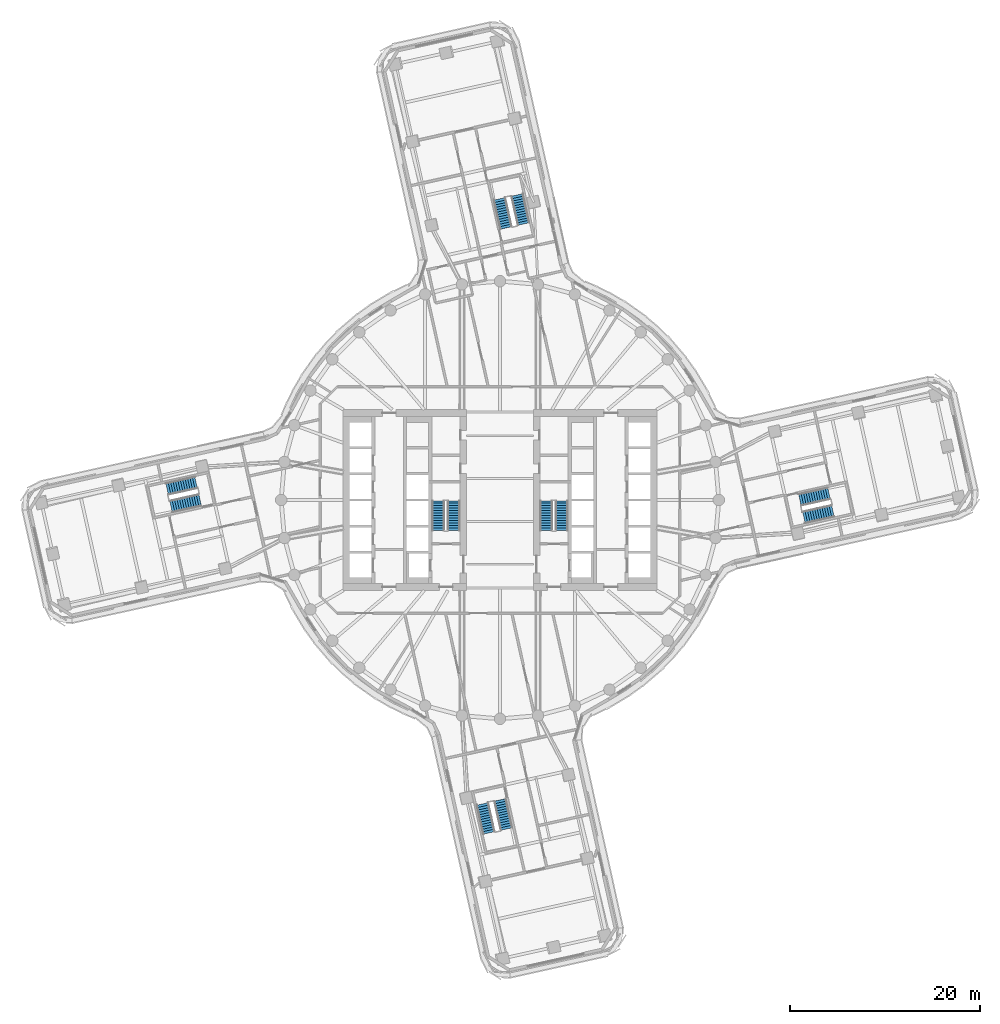
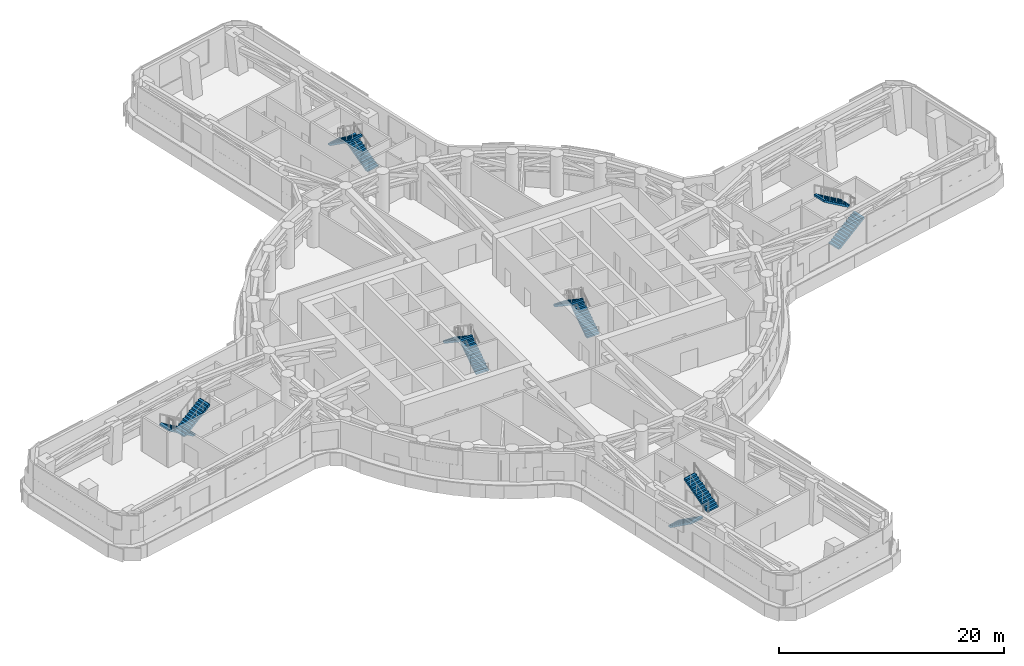
# One storey, part 14 of 22: 12 stair flights, 6 elements without a shape of their own.
"""IFC4 building model written with IfcOpenShell, lengths in metres."""

import ifcopenshell
import ifcopenshell.guid

model = None  # the IFC model being written
_history = None  # IfcOwnerHistory: only IFC2X3 demands one
_inside = {}  # id of a spatial element -> (the spatial element, [elements in it])
_under = {}  # id of a project, library or spatial element -> (it, [spatial elements below it])
_declared = {}  # id of a project -> (the project, [libraries it declares])
_typed = {}  # id of a type object -> (the type object, [elements of that type])
_made_of = {}  # id of a material, layer set ... -> (it, [elements and type objects made of it])


def new_model(schema):
    """Start an empty IFC model of exactly this schema.

    Asked for "IFC4X3", IfcOpenShell would pick the latest addendum, in which some entities
    have other attributes; the version numbers below select the first issue.
    IFC2X3 requires an IfcOwnerHistory on every rooted entity: one is made here for all.
    """
    global model, _history
    if schema == "IFC4X3":
        model = ifcopenshell.file(schema_version=(4, 3, 0, 0))
    else:
        model = ifcopenshell.file(schema=schema)
    _inside.clear()
    _under.clear()
    _declared.clear()
    _typed.clear()
    _made_of.clear()
    _history = None
    if model.schema == "IFC2X3":
        org = make("IfcOrganization", Name="unknown")
        user = make(
            "IfcPersonAndOrganization",
            ThePerson=make("IfcPerson", FamilyName="unknown"),
            TheOrganization=org,
        )
        app = make(
            "IfcApplication",
            ApplicationDeveloper=org,
            Version="unknown",
            ApplicationFullName="unknown",
            ApplicationIdentifier="unknown",
        )
        _history = make(
            "IfcOwnerHistory",
            OwningUser=user,
            OwningApplication=app,
            ChangeAction="ADDED",
            CreationDate=0,
        )
    return model


def make(cls, **values):
    """One entity of the class cls with the attributes given. An attribute that is None is left unset."""
    return model.create_entity(
        cls, **{name: value for name, value in values.items() if value is not None}
    )


def rooted(cls, **values):
    """An entity with a GlobalId (a new one), such as an element, a storey or a relation."""
    return make(cls, GlobalId=ifcopenshell.guid.new(), OwnerHistory=_history, **values)


def si_unit(unit_type, name, prefix=None):
    """IfcSIUnit, for example si_unit("LENGTHUNIT", "METRE", prefix="MILLI")."""
    return make("IfcSIUnit", UnitType=unit_type, Prefix=prefix, Name=name)


def assignment(units):
    """IfcUnitAssignment: the units of a project."""
    return None if units is None else make("IfcUnitAssignment", Units=units)


def point(xyz):
    """IfcCartesianPoint."""
    return None if xyz is None else make("IfcCartesianPoint", Coordinates=xyz)


def direction(xyz):
    """IfcDirection."""
    return None if xyz is None else make("IfcDirection", DirectionRatios=xyz)


def frame(location, z_axis=None, x_axis=None):
    """IfcAxis2Placement3D, a coordinate frame: its origin and axes. An axis left out is left unset."""
    return make(
        "IfcAxis2Placement3D",
        Location=point(location),
        Axis=direction(z_axis),
        RefDirection=direction(x_axis),
    )


def origin():
    """The frame at (0, 0, 0) with its axes left unset."""
    return frame((0.0, 0.0, 0.0))


def place(relative_to, where):
    """IfcLocalPlacement: puts the frame where relative to a parent placement (None: the world)."""
    return make(
        "IfcLocalPlacement", PlacementRelTo=relative_to, RelativePlacement=where
    )


def context(
    kind, dimensions, precision=None, world=None, true_north=None, identifier=None
):
    """IfcGeometricRepresentationContext, for example the 3D "Model" context."""
    return make(
        "IfcGeometricRepresentationContext",
        ContextIdentifier=identifier,
        ContextType=kind,
        CoordinateSpaceDimension=dimensions,
        Precision=precision,
        WorldCoordinateSystem=world,
        TrueNorth=true_north,
    )


def subcontext(parent, identifier, kind, view, scale=None):
    """IfcGeometricRepresentationSubContext, for example "Body" below "Model"."""
    return make(
        "IfcGeometricRepresentationSubContext",
        ContextIdentifier=identifier,
        ContextType=kind,
        ParentContext=parent,
        TargetScale=scale,
        TargetView=view,
    )


def project(units=None, contexts=None):
    """IfcProject with its units and contexts."""
    return rooted(
        "IfcProject",
        Name="project",
        RepresentationContexts=contexts,
        UnitsInContext=assignment(units),
    )


def spatial(cls, under=None, at=None, **own):
    """A site, building, storey or space (cls), placed at a placement, below another one or the project."""
    s = rooted(cls, ObjectPlacement=at, **own)
    if under is not None:
        _under.setdefault(under.id(), (under, []))[1].append(s)
    return s


def polyline(points):
    """IfcPolyline through the points."""
    return make("IfcPolyline", Points=[point(p) for p in points])


def outline(outer, holes=None, kind="AREA"):
    """IfcArbitraryClosedProfileDef: a profile drawn as a closed curve; with holes, ...WithVoids."""
    if holes is None:
        return make("IfcArbitraryClosedProfileDef", ProfileType=kind, OuterCurve=outer)
    return make(
        "IfcArbitraryProfileDefWithVoids",
        ProfileType=kind,
        OuterCurve=outer,
        InnerCurves=holes,
    )


def extrude(swept, where, along, depth):
    """IfcExtrudedAreaSolid: the profile swept, set in the frame where, extruded along a direction by depth."""
    return make(
        "IfcExtrudedAreaSolid",
        SweptArea=swept,
        Position=where,
        ExtrudedDirection=direction(along),
        Depth=depth,
    )


def shape(context_of_items, identifier, shape_type, items):
    """IfcShapeRepresentation: the items that make up one representation, for example the "Body"."""
    return make(
        "IfcShapeRepresentation",
        ContextOfItems=context_of_items,
        RepresentationIdentifier=identifier,
        RepresentationType=shape_type,
        Items=items,
    )


def material(Name=None, Category=None):
    """IfcMaterial."""
    return make("IfcMaterial", Name=Name, Category=Category)


def made_of(thing, what):
    """Note that an element or type object is made of a material, layer set ...; save() writes the relation."""
    if what is not None:
        _made_of.setdefault(what.id(), (what, []))[1].append(thing)
    return thing


def type_object(cls, material=None, **own):
    """A type object (cls), such as IfcWallType, which elements share."""
    return made_of(rooted(cls, **own), material)


def element(
    cls,
    number,
    at=None,
    inside=None,
    cuts=None,
    type_object=None,
    material=None,
    context=None,
    identifier="Body",
    shape_type=None,
    held_by="IfcProductDefinitionShape",
    body=None,
    shapes=None,
    **own,
):
    """One element of the class cls, such as IfcWall. Its Tag is "e" and its number.

    at: its placement. inside: the storey or other place that contains it. cuts: it is an
    opening in that element (IfcRelVoidsElement). A single representation is given by context,
    identifier, shape_type and body (its items); several are given by shapes. held_by: the class
    of the entity that holds the representations. save() writes the other relations.
    """
    e = rooted(cls, Tag="e%d" % number, ObjectPlacement=at, **own)
    if body is not None:
        shapes = [shape(context, identifier, shape_type, body)]
    if shapes is not None:
        e.Representation = make(held_by, Representations=shapes)
    if inside is not None:
        _inside.setdefault(inside.id(), (inside, []))[1].append(e)
    if cuts is not None:
        rooted(
            "IfcRelVoidsElement", RelatingBuildingElement=cuts, RelatedOpeningElement=e
        )
    if type_object is not None:
        _typed.setdefault(type_object.id(), (type_object, []))[1].append(e)
    return made_of(e, material)


def aggregate(whole, parts):
    """IfcRelAggregates: a whole, such as a stair, and the parts it consists of."""
    return rooted("IfcRelAggregates", RelatingObject=whole, RelatedObjects=parts)


def save(model, path):
    """Write the relations noted so far, then the file.

    IfcRelAggregates (storeys below a building ...), IfcRelContainedInSpatialStructure (elements
    in a storey), IfcRelDefinesByType, IfcRelAssociatesMaterial and IfcRelDeclares: one each for
    every whole, place, type object, material and project.
    """
    for whole, parts in _under.values():
        aggregate(whole, parts)
    for where, things in _inside.values():
        rooted(
            "IfcRelContainedInSpatialStructure",
            RelatedElements=things,
            RelatingStructure=where,
        )
    for kind, things in _typed.values():
        rooted("IfcRelDefinesByType", RelatedObjects=things, RelatingType=kind)
    for what, things in _made_of.values():
        rooted("IfcRelAssociatesMaterial", RelatedObjects=things, RelatingMaterial=what)
    for by, libraries in _declared.values():
        rooted("IfcRelDeclares", RelatingContext=by, RelatedDefinitions=libraries)
    model.write(path)


model = new_model("IFC4")

# Units and contexts
model_context = context("Model", 3, precision=1e-05, world=origin(), true_north=direction((0.0, 1.0)))
body_context = subcontext(model_context, "Body", "Model", "MODEL_VIEW")
ifc_project = project(units=[si_unit("LENGTHUNIT", "METRE"), si_unit("AREAUNIT", "SQUARE_METRE"), si_unit("VOLUMEUNIT", "CUBIC_METRE"), si_unit("PLANEANGLEUNIT", "RADIAN"), si_unit("MASSUNIT", "GRAM", prefix="KILO")], contexts=[model_context])

# Site, building, storey
site_placement = place(None, origin())
site = spatial("IfcSite", under=ifc_project, at=site_placement, CompositionType="ELEMENT")
building_placement = place(site_placement, origin())
building = spatial("IfcBuilding", under=site, at=building_placement, Name="Tamarind Cross Interchange Tower", CompositionType="ELEMENT")
storey_placement = place(building_placement, frame((0.0, 0.0, 79.0)))
storey = spatial("IfcBuildingStorey", under=building, at=storey_placement, Name="L18", CompositionType="ELEMENT", Elevation=79.0)

# Stair, stair flights
ifc_material_1 = material(Name="Exit stair")
stair_type = type_object("IfcStairType", Name="Exit stair", PredefinedType="HALF_TURN_STAIR", material=ifc_material_1)
stair_1_placement = place(storey_placement, origin())
stair_1 = element("IfcStair", 1, at=stair_1_placement, inside=storey, type_object=stair_type, Name="L18 exit stair ST1", PredefinedType="HALF_TURN_STAIR")
ifc_material_2 = material(Name="Exit stair flight")
stair_flight_type = type_object("IfcStairFlightType", Name="Exit stair flight", PredefinedType="STRAIGHT", material=ifc_material_2)
stair_flight_1_placement = place(storey_placement, frame((-4.85009765625, -3.199951171875, 0.0), z_axis=(0.0, 0.0, 1.0), x_axis=(0.0, 1.0, 0.0)))
stair_flight_1 = element("IfcStairFlight", 2, at=stair_flight_1_placement, type_object=stair_flight_type, Name="ST1 flight 1", NumberOfRisers=13, NumberOfTreads=12, PredefinedType="STRAIGHT", RiserHeight=0.173076923, TreadLength=0.26, context=body_context, shape_type="SweptSolid", body=[
    extrude(outline(polyline([(0.0, 0.0), (0.0, 0.173095703125), (0.260009765625, 0.173095703125), (0.260009765625, 0.34619140625), (0.52001953125, 0.34619140625), (0.52001953125, 0.519287109375), (0.780029296875, 0.519287109375), (0.780029296875, 0.6923828125), (1.0400390625, 0.6923828125), (1.0400390625, 0.865478515625), (1.300048828125, 0.865478515625), (1.300048828125, 1.03857421875), (1.56005859375, 1.03857421875), (1.56005859375, 1.21142578125), (1.820068359375, 1.21142578125), (1.820068359375, 1.384521484375), (2.080078125, 1.384521484375), (2.080078125, 1.5576171875), (2.340087890625, 1.5576171875), (2.340087890625, 1.730712890625), (2.60009765625, 1.730712890625), (2.60009765625, 1.90380859375), (2.860107421875, 1.90380859375), (2.860107421875, 2.076904296875), (3.1201171875, 2.076904296875), (3.1201171875, 2.25), (3.1201171875, 1.896728515625), (0.2705078125, 0.0), (0.0, 0.0)])), frame((0.0, 0.64990234375, 0.0), z_axis=(0.0, -1.0, 0.0), x_axis=(1.0, 0.0, 0.0)), (0.0, 0.0, 1.0), 1.300048828125),
])
stair_flight_2_placement = place(storey_placement, frame((-6.5, -0.080078125, 2.25), z_axis=(0.0, 0.0, 1.0), x_axis=(0.0, -1.0, 0.0)))
stair_flight_2 = element("IfcStairFlight", 3, at=stair_flight_2_placement, type_object=stair_flight_type, Name="ST1 flight 2", NumberOfRisers=13, NumberOfTreads=12, PredefinedType="STRAIGHT", RiserHeight=0.173076923, TreadLength=0.26, context=body_context, shape_type="SweptSolid", body=[
    extrude(outline(polyline([(0.0, 0.0), (0.0, 0.173095703125), (0.260009765625, 0.173095703125), (0.260009765625, 0.34619140625), (0.52001953125, 0.34619140625), (0.52001953125, 0.519287109375), (0.780029296875, 0.519287109375), (0.780029296875, 0.6923828125), (1.0400390625, 0.6923828125), (1.0400390625, 0.865478515625), (1.300048828125, 0.865478515625), (1.300048828125, 1.03857421875), (1.56005859375, 1.03857421875), (1.56005859375, 1.21142578125), (1.820068359375, 1.21142578125), (1.820068359375, 1.384521484375), (2.080078125, 1.384521484375), (2.080078125, 1.5576171875), (2.340087890625, 1.5576171875), (2.340087890625, 1.730712890625), (2.60009765625, 1.730712890625), (2.60009765625, 1.90380859375), (2.860107421875, 1.90380859375), (2.860107421875, 2.076904296875), (3.1201171875, 2.076904296875), (3.1201171875, 2.1298828125), (3.132080078125, 2.1298828125), (3.132080078125, 1.90478515625), (0.2705078125, 0.0), (0.0, 0.0)])), frame((0.0, 0.64990234375, 0.0), z_axis=(0.0, -1.0, 0.0), x_axis=(1.0, 0.0, 0.0)), (0.0, 0.0, 1.0), 1.300048828125),
])
aggregate(stair_1, [stair_flight_1, stair_flight_2])

stair_2_placement = place(storey_placement, origin())
stair_2 = element("IfcStair", 4, at=stair_2_placement, inside=storey, type_object=stair_type, Name="L18 exit stair ST2", PredefinedType="HALF_TURN_STAIR")
stair_flight_3_placement = place(storey_placement, frame((6.5, -3.199951171875, 0.0), z_axis=(0.0, 0.0, 1.0), x_axis=(0.0, 1.0, 0.0)))
stair_flight_3 = element("IfcStairFlight", 5, at=stair_flight_3_placement, type_object=stair_flight_type, Name="ST2 flight 1", NumberOfRisers=13, NumberOfTreads=12, PredefinedType="STRAIGHT", RiserHeight=0.173076923, TreadLength=0.26, context=body_context, shape_type="SweptSolid", body=[
    extrude(outline(polyline([(0.0, 0.0), (0.0, 0.173095703125), (0.260009765625, 0.173095703125), (0.260009765625, 0.34619140625), (0.52001953125, 0.34619140625), (0.52001953125, 0.519287109375), (0.780029296875, 0.519287109375), (0.780029296875, 0.6923828125), (1.0400390625, 0.6923828125), (1.0400390625, 0.865478515625), (1.300048828125, 0.865478515625), (1.300048828125, 1.03857421875), (1.56005859375, 1.03857421875), (1.56005859375, 1.21142578125), (1.820068359375, 1.21142578125), (1.820068359375, 1.384521484375), (2.080078125, 1.384521484375), (2.080078125, 1.5576171875), (2.340087890625, 1.5576171875), (2.340087890625, 1.730712890625), (2.60009765625, 1.730712890625), (2.60009765625, 1.90380859375), (2.860107421875, 1.90380859375), (2.860107421875, 2.076904296875), (3.1201171875, 2.076904296875), (3.1201171875, 2.25), (3.1201171875, 1.896728515625), (0.2705078125, 0.0), (0.0, 0.0)])), frame((0.0, 0.64990234375, 0.0), z_axis=(0.0, -1.0, 0.0), x_axis=(1.0, 0.0, 0.0)), (0.0, 0.0, 1.0), 1.300048828125),
])
stair_flight_4_placement = place(storey_placement, frame((4.85009765625, -0.080078125, 2.25), z_axis=(0.0, 0.0, 1.0), x_axis=(0.0, -1.0, 0.0)))
stair_flight_4 = element("IfcStairFlight", 6, at=stair_flight_4_placement, type_object=stair_flight_type, Name="ST2 flight 2", NumberOfRisers=13, NumberOfTreads=12, PredefinedType="STRAIGHT", RiserHeight=0.173076923, TreadLength=0.26, context=body_context, shape_type="SweptSolid", body=[
    extrude(outline(polyline([(0.0, 0.0), (0.0, 0.173095703125), (0.260009765625, 0.173095703125), (0.260009765625, 0.34619140625), (0.52001953125, 0.34619140625), (0.52001953125, 0.519287109375), (0.780029296875, 0.519287109375), (0.780029296875, 0.6923828125), (1.0400390625, 0.6923828125), (1.0400390625, 0.865478515625), (1.300048828125, 0.865478515625), (1.300048828125, 1.03857421875), (1.56005859375, 1.03857421875), (1.56005859375, 1.21142578125), (1.820068359375, 1.21142578125), (1.820068359375, 1.384521484375), (2.080078125, 1.384521484375), (2.080078125, 1.5576171875), (2.340087890625, 1.5576171875), (2.340087890625, 1.730712890625), (2.60009765625, 1.730712890625), (2.60009765625, 1.90380859375), (2.860107421875, 1.90380859375), (2.860107421875, 2.076904296875), (3.1201171875, 2.076904296875), (3.1201171875, 2.1298828125), (3.132080078125, 2.1298828125), (3.132080078125, 1.90478515625), (0.2705078125, 0.0), (0.0, 0.0)])), frame((0.0, 0.64990234375, 0.0), z_axis=(0.0, -1.0, 0.0), x_axis=(1.0, 0.0, 0.0)), (0.0, 0.0, 1.0), 1.300048828125),
])
aggregate(stair_2, [stair_flight_3, stair_flight_4])

stair_3_placement = place(storey_placement, origin())
stair_3 = element("IfcStair", 7, at=stair_3_placement, inside=storey, type_object=stair_type, Name="L18 exit stair ST3", PredefinedType="HALF_TURN_STAIR")
stair_flight_5_placement = place(storey_placement, frame((31.935791015625, -1.8369140625, 0.0), z_axis=(0.0, 0.0, 1.0), x_axis=(0.976153759752, 0.217080255487, 0.0)))
stair_flight_5 = element("IfcStairFlight", 8, at=stair_flight_5_placement, type_object=stair_flight_type, Name="ST3 flight 1", NumberOfRisers=13, NumberOfTreads=12, PredefinedType="STRAIGHT", RiserHeight=0.173076923, TreadLength=0.26, context=body_context, shape_type="SweptSolid", body=[
    extrude(outline(polyline([(0.0, 0.0), (0.0, 0.173095703125), (0.260009765625, 0.173095703125), (0.260009765625, 0.34619140625), (0.52001953125, 0.34619140625), (0.52001953125, 0.519287109375), (0.780029296875, 0.519287109375), (0.780029296875, 0.6923828125), (1.0400390625, 0.6923828125), (1.0400390625, 0.865478515625), (1.300048828125, 0.865478515625), (1.300048828125, 1.03857421875), (1.56005859375, 1.03857421875), (1.56005859375, 1.21142578125), (1.820068359375, 1.21142578125), (1.820068359375, 1.384521484375), (2.080078125, 1.384521484375), (2.080078125, 1.5576171875), (2.340087890625, 1.5576171875), (2.340087890625, 1.730712890625), (2.60009765625, 1.730712890625), (2.60009765625, 1.90380859375), (2.860107421875, 1.90380859375), (2.860107421875, 2.076904296875), (3.1201171875, 2.076904296875), (3.1201171875, 2.25), (3.1201171875, 1.896728515625), (0.2705078125, 0.0), (0.0, 0.0)])), frame((0.0, 0.64990234375, 0.0), z_axis=(0.0, -1.0, 0.0), x_axis=(1.0, 0.0, 0.0)), (0.0, 0.0, 1.0), 1.300048828125),
])
stair_flight_6_placement = place(storey_placement, frame((34.56884765625, 0.695068359375, 2.25), z_axis=(0.0, 0.0, 1.0), x_axis=(-0.976153759752, -0.217080255487, 0.0)))
stair_flight_6 = element("IfcStairFlight", 9, at=stair_flight_6_placement, type_object=stair_flight_type, Name="ST3 flight 2", NumberOfRisers=13, NumberOfTreads=12, PredefinedType="STRAIGHT", RiserHeight=0.173076923, TreadLength=0.26, context=body_context, shape_type="SweptSolid", body=[
    extrude(outline(polyline([(0.0, 0.0), (0.0, 0.173095703125), (0.260009765625, 0.173095703125), (0.260009765625, 0.34619140625), (0.52001953125, 0.34619140625), (0.52001953125, 0.519287109375), (0.780029296875, 0.519287109375), (0.780029296875, 0.6923828125), (1.0400390625, 0.6923828125), (1.0400390625, 0.865478515625), (1.300048828125, 0.865478515625), (1.300048828125, 1.03857421875), (1.56005859375, 1.03857421875), (1.56005859375, 1.21142578125), (1.820068359375, 1.21142578125), (1.820068359375, 1.384521484375), (2.080078125, 1.384521484375), (2.080078125, 1.5576171875), (2.340087890625, 1.5576171875), (2.340087890625, 1.730712890625), (2.60009765625, 1.730712890625), (2.60009765625, 1.90380859375), (2.860107421875, 1.90380859375), (2.860107421875, 2.076904296875), (3.1201171875, 2.076904296875), (3.1201171875, 2.1298828125), (3.132080078125, 2.1298828125), (3.132080078125, 1.90478515625), (0.2705078125, 0.0), (0.0, 0.0)])), frame((0.0, 0.64990234375, 0.0), z_axis=(0.0, -1.0, 0.0), x_axis=(1.0, 0.0, 0.0)), (0.0, 0.0, 1.0), 1.300048828125),
])
aggregate(stair_3, [stair_flight_5, stair_flight_6])

stair_4_placement = place(storey_placement, origin())
stair_4 = element("IfcStair", 10, at=stair_4_placement, inside=storey, type_object=stair_type, Name="L18 exit stair ST4", PredefinedType="HALF_TURN_STAIR")
stair_flight_7_placement = place(storey_placement, frame((2.48828125, 29.00732421875, 0.0), z_axis=(0.0, 0.0, 1.0), x_axis=(-0.217080255487, 0.976153759752, 0.0)))
stair_flight_7 = element("IfcStairFlight", 11, at=stair_flight_7_placement, type_object=stair_flight_type, Name="ST4 flight 1", NumberOfRisers=13, NumberOfTreads=12, PredefinedType="STRAIGHT", RiserHeight=0.173076923, TreadLength=0.26, context=body_context, shape_type="SweptSolid", body=[
    extrude(outline(polyline([(0.0, 0.0), (0.0, 0.173095703125), (0.260009765625, 0.173095703125), (0.260009765625, 0.34619140625), (0.52001953125, 0.34619140625), (0.52001953125, 0.519287109375), (0.780029296875, 0.519287109375), (0.780029296875, 0.6923828125), (1.0400390625, 0.6923828125), (1.0400390625, 0.865478515625), (1.300048828125, 0.865478515625), (1.300048828125, 1.03857421875), (1.56005859375, 1.03857421875), (1.56005859375, 1.21142578125), (1.820068359375, 1.21142578125), (1.820068359375, 1.384521484375), (2.080078125, 1.384521484375), (2.080078125, 1.5576171875), (2.340087890625, 1.5576171875), (2.340087890625, 1.730712890625), (2.60009765625, 1.730712890625), (2.60009765625, 1.90380859375), (2.860107421875, 1.90380859375), (2.860107421875, 2.076904296875), (3.1201171875, 2.076904296875), (3.1201171875, 2.25), (3.1201171875, 1.896728515625), (0.2705078125, 0.0), (0.0, 0.0)])), frame((0.0, 0.64990234375, 0.0), z_axis=(0.0, -1.0, 0.0), x_axis=(1.0, 0.0, 0.0)), (0.0, 0.0, 1.0), 1.300048828125),
])
stair_flight_8_placement = place(storey_placement, frame((-0.043701171875, 31.640380859375, 2.25), z_axis=(0.0, 0.0, 1.0), x_axis=(0.217080255487, -0.976153759752, 0.0)))
stair_flight_8 = element("IfcStairFlight", 12, at=stair_flight_8_placement, type_object=stair_flight_type, Name="ST4 flight 2", NumberOfRisers=13, NumberOfTreads=12, PredefinedType="STRAIGHT", RiserHeight=0.173076923, TreadLength=0.26, context=body_context, shape_type="SweptSolid", body=[
    extrude(outline(polyline([(0.0, 0.0), (0.0, 0.173095703125), (0.260009765625, 0.173095703125), (0.260009765625, 0.34619140625), (0.52001953125, 0.34619140625), (0.52001953125, 0.519287109375), (0.780029296875, 0.519287109375), (0.780029296875, 0.6923828125), (1.0400390625, 0.6923828125), (1.0400390625, 0.865478515625), (1.300048828125, 0.865478515625), (1.300048828125, 1.03857421875), (1.56005859375, 1.03857421875), (1.56005859375, 1.21142578125), (1.820068359375, 1.21142578125), (1.820068359375, 1.384521484375), (2.080078125, 1.384521484375), (2.080078125, 1.5576171875), (2.340087890625, 1.5576171875), (2.340087890625, 1.730712890625), (2.60009765625, 1.730712890625), (2.60009765625, 1.90380859375), (2.860107421875, 1.90380859375), (2.860107421875, 2.076904296875), (3.1201171875, 2.076904296875), (3.1201171875, 2.1298828125), (3.132080078125, 2.1298828125), (3.132080078125, 1.90478515625), (0.2705078125, 0.0), (0.0, 0.0)])), frame((0.0, 0.64990234375, 0.0), z_axis=(0.0, -1.0, 0.0), x_axis=(1.0, 0.0, 0.0)), (0.0, 0.0, 1.0), 1.300048828125),
])
aggregate(stair_4, [stair_flight_7, stair_flight_8])

stair_5_placement = place(storey_placement, origin())
stair_5 = element("IfcStair", 13, at=stair_5_placement, inside=storey, type_object=stair_type, Name="L18 exit stair ST5", PredefinedType="HALF_TURN_STAIR")
stair_flight_9_placement = place(storey_placement, frame((-31.935791015625, 1.8369140625, 0.0), z_axis=(0.0, 0.0, 1.0), x_axis=(-0.976153759752, -0.217080255487, 0.0)))
stair_flight_9 = element("IfcStairFlight", 14, at=stair_flight_9_placement, type_object=stair_flight_type, Name="ST5 flight 1", NumberOfRisers=13, NumberOfTreads=12, PredefinedType="STRAIGHT", RiserHeight=0.173076923, TreadLength=0.26, context=body_context, shape_type="SweptSolid", body=[
    extrude(outline(polyline([(0.0, 0.0), (0.0, 0.173095703125), (0.260009765625, 0.173095703125), (0.260009765625, 0.34619140625), (0.52001953125, 0.34619140625), (0.52001953125, 0.519287109375), (0.780029296875, 0.519287109375), (0.780029296875, 0.6923828125), (1.0400390625, 0.6923828125), (1.0400390625, 0.865478515625), (1.300048828125, 0.865478515625), (1.300048828125, 1.03857421875), (1.56005859375, 1.03857421875), (1.56005859375, 1.21142578125), (1.820068359375, 1.21142578125), (1.820068359375, 1.384521484375), (2.080078125, 1.384521484375), (2.080078125, 1.5576171875), (2.340087890625, 1.5576171875), (2.340087890625, 1.730712890625), (2.60009765625, 1.730712890625), (2.60009765625, 1.90380859375), (2.860107421875, 1.90380859375), (2.860107421875, 2.076904296875), (3.1201171875, 2.076904296875), (3.1201171875, 2.25), (3.1201171875, 1.896728515625), (0.2705078125, 0.0), (0.0, 0.0)])), frame((0.0, 0.64990234375, 0.0), z_axis=(0.0, -1.0, 0.0), x_axis=(1.0, 0.0, 0.0)), (0.0, 0.0, 1.0), 1.300048828125),
])
stair_flight_10_placement = place(storey_placement, frame((-34.56884765625, -0.695068359375, 2.25), z_axis=(0.0, 0.0, 1.0), x_axis=(0.976153759752, 0.217080255487, 0.0)))
stair_flight_10 = element("IfcStairFlight", 15, at=stair_flight_10_placement, type_object=stair_flight_type, Name="ST5 flight 2", NumberOfRisers=13, NumberOfTreads=12, PredefinedType="STRAIGHT", RiserHeight=0.173076923, TreadLength=0.26, context=body_context, shape_type="SweptSolid", body=[
    extrude(outline(polyline([(0.0, 0.0), (0.0, 0.173095703125), (0.260009765625, 0.173095703125), (0.260009765625, 0.34619140625), (0.52001953125, 0.34619140625), (0.52001953125, 0.519287109375), (0.780029296875, 0.519287109375), (0.780029296875, 0.6923828125), (1.0400390625, 0.6923828125), (1.0400390625, 0.865478515625), (1.300048828125, 0.865478515625), (1.300048828125, 1.03857421875), (1.56005859375, 1.03857421875), (1.56005859375, 1.21142578125), (1.820068359375, 1.21142578125), (1.820068359375, 1.384521484375), (2.080078125, 1.384521484375), (2.080078125, 1.5576171875), (2.340087890625, 1.5576171875), (2.340087890625, 1.730712890625), (2.60009765625, 1.730712890625), (2.60009765625, 1.90380859375), (2.860107421875, 1.90380859375), (2.860107421875, 2.076904296875), (3.1201171875, 2.076904296875), (3.1201171875, 2.1298828125), (3.132080078125, 2.1298828125), (3.132080078125, 1.90478515625), (0.2705078125, 0.0), (0.0, 0.0)])), frame((0.0, 0.64990234375, 0.0), z_axis=(0.0, -1.0, 0.0), x_axis=(1.0, 0.0, 0.0)), (0.0, 0.0, 1.0), 1.300048828125),
])
aggregate(stair_5, [stair_flight_9, stair_flight_10])

stair_6_placement = place(storey_placement, origin())
stair_6 = element("IfcStair", 16, at=stair_6_placement, inside=storey, type_object=stair_type, Name="L18 exit stair ST6", PredefinedType="HALF_TURN_STAIR")
stair_flight_11_placement = place(storey_placement, frame((-1.8369140625, -31.935791015625, 0.0), z_axis=(0.0, 0.0, 1.0), x_axis=(0.217080255487, -0.976153759752, 0.0)))
stair_flight_11 = element("IfcStairFlight", 17, at=stair_flight_11_placement, type_object=stair_flight_type, Name="ST6 flight 1", NumberOfRisers=13, NumberOfTreads=12, PredefinedType="STRAIGHT", RiserHeight=0.173076923, TreadLength=0.26, context=body_context, shape_type="SweptSolid", body=[
    extrude(outline(polyline([(0.0, 0.0), (0.0, 0.173095703125), (0.260009765625, 0.173095703125), (0.260009765625, 0.34619140625), (0.52001953125, 0.34619140625), (0.52001953125, 0.519287109375), (0.780029296875, 0.519287109375), (0.780029296875, 0.6923828125), (1.0400390625, 0.6923828125), (1.0400390625, 0.865478515625), (1.300048828125, 0.865478515625), (1.300048828125, 1.03857421875), (1.56005859375, 1.03857421875), (1.56005859375, 1.21142578125), (1.820068359375, 1.21142578125), (1.820068359375, 1.384521484375), (2.080078125, 1.384521484375), (2.080078125, 1.5576171875), (2.340087890625, 1.5576171875), (2.340087890625, 1.730712890625), (2.60009765625, 1.730712890625), (2.60009765625, 1.90380859375), (2.860107421875, 1.90380859375), (2.860107421875, 2.076904296875), (3.1201171875, 2.076904296875), (3.1201171875, 2.25), (3.1201171875, 1.896728515625), (0.2705078125, 0.0), (0.0, 0.0)])), frame((0.0, 0.64990234375, 0.0), z_axis=(0.0, -1.0, 0.0), x_axis=(1.0, 0.0, 0.0)), (0.0, 0.0, 1.0), 1.300048828125),
])
stair_flight_12_placement = place(storey_placement, frame((0.695068359375, -34.56884765625, 2.25), z_axis=(0.0, 0.0, 1.0), x_axis=(-0.217080255487, 0.976153759752, 0.0)))
stair_flight_12 = element("IfcStairFlight", 18, at=stair_flight_12_placement, type_object=stair_flight_type, Name="ST6 flight 2", NumberOfRisers=13, NumberOfTreads=12, PredefinedType="STRAIGHT", RiserHeight=0.173076923, TreadLength=0.26, context=body_context, shape_type="SweptSolid", body=[
    extrude(outline(polyline([(0.0, 0.0), (0.0, 0.173095703125), (0.260009765625, 0.173095703125), (0.260009765625, 0.34619140625), (0.52001953125, 0.34619140625), (0.52001953125, 0.519287109375), (0.780029296875, 0.519287109375), (0.780029296875, 0.6923828125), (1.0400390625, 0.6923828125), (1.0400390625, 0.865478515625), (1.300048828125, 0.865478515625), (1.300048828125, 1.03857421875), (1.56005859375, 1.03857421875), (1.56005859375, 1.21142578125), (1.820068359375, 1.21142578125), (1.820068359375, 1.384521484375), (2.080078125, 1.384521484375), (2.080078125, 1.5576171875), (2.340087890625, 1.5576171875), (2.340087890625, 1.730712890625), (2.60009765625, 1.730712890625), (2.60009765625, 1.90380859375), (2.860107421875, 1.90380859375), (2.860107421875, 2.076904296875), (3.1201171875, 2.076904296875), (3.1201171875, 2.1298828125), (3.132080078125, 2.1298828125), (3.132080078125, 1.90478515625), (0.2705078125, 0.0), (0.0, 0.0)])), frame((0.0, 0.64990234375, 0.0), z_axis=(0.0, -1.0, 0.0), x_axis=(1.0, 0.0, 0.0)), (0.0, 0.0, 1.0), 1.300048828125),
])
aggregate(stair_6, [stair_flight_11, stair_flight_12])

save(model, "model.ifc")
